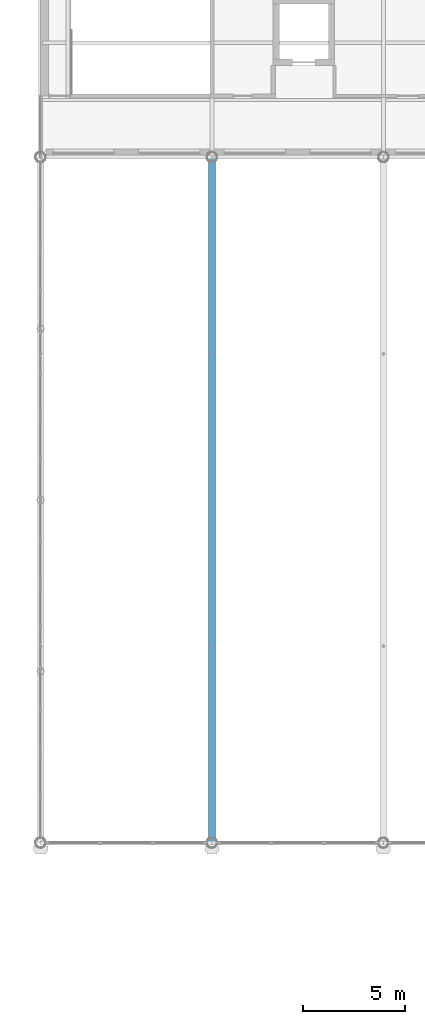
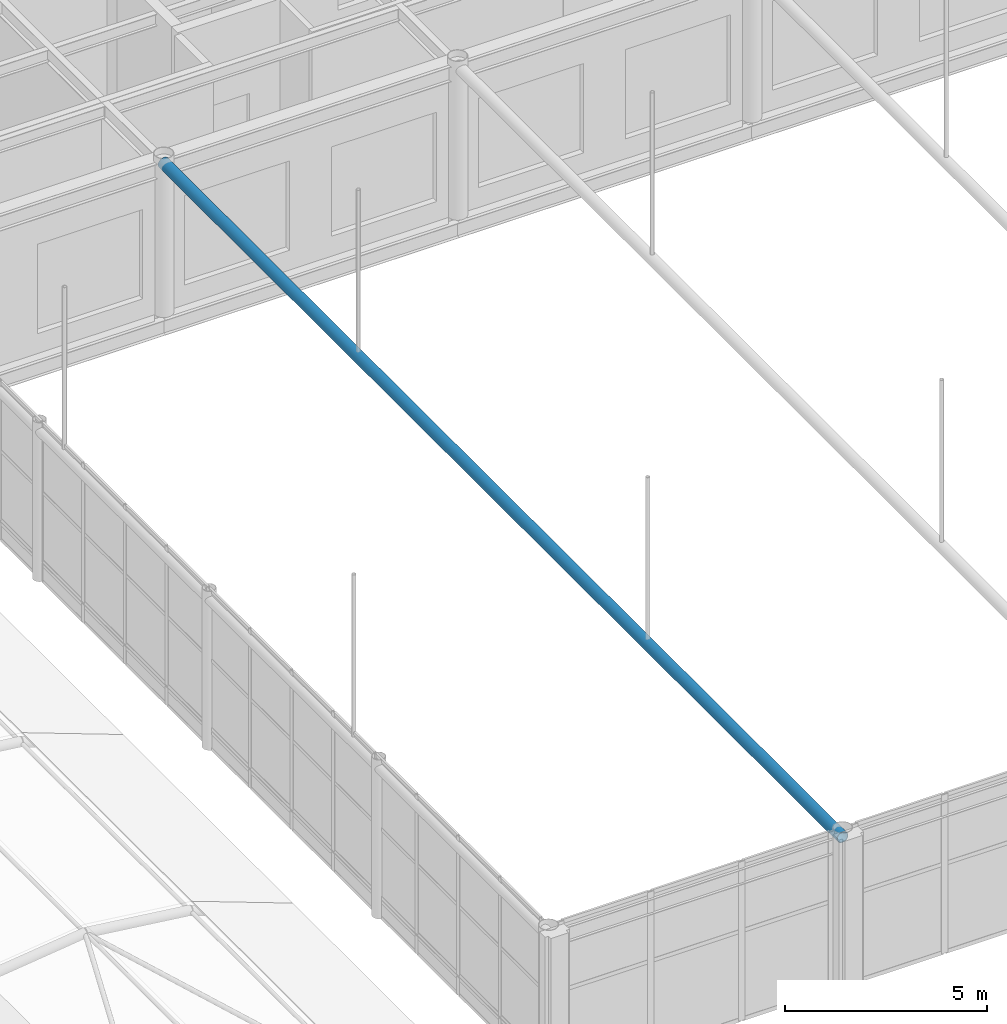
# One storey, part 50 of 167: 1 beam.
"""IFC4 building model written with IfcOpenShell, lengths in metres."""

from ifc_helpers import new_model, si_unit, direction, frame, origin, origin_2d, place, context, subcontext, project, spatial, hollow_circle, extrude, material, material_profile, profile_set, type_object, element, save


model = new_model("IFC4")

# Units and contexts
model_context = context("Model", 3, precision=1e-05, world=origin(), true_north=direction((0.0, 1.0)))
body_context = subcontext(model_context, "Body", "Model", "MODEL_VIEW")
ifc_project = project(units=[si_unit("LENGTHUNIT", "METRE"), si_unit("AREAUNIT", "SQUARE_METRE"), si_unit("VOLUMEUNIT", "CUBIC_METRE"), si_unit("PLANEANGLEUNIT", "RADIAN"), si_unit("MASSUNIT", "GRAM", prefix="KILO")], contexts=[model_context])

# Site, building, storey
site_placement = place(None, origin())
site = spatial("IfcSite", under=ifc_project, at=site_placement, CompositionType="ELEMENT")
building_placement = place(site_placement, origin())
building = spatial("IfcBuilding", under=site, at=building_placement, Name="Catenary Quay Ferry Terminal", CompositionType="ELEMENT")
storey_placement = place(building_placement, frame((0.0, 0.0, 6.0)))
storey = spatial("IfcBuildingStorey", under=building, at=storey_placement, Name="L01", CompositionType="ELEMENT", Elevation=6.0)

# Beam
ifc_material = material(Name="Steel S355", Category="steel")
ifc_material_profile = material_profile(ifc_material, hollow_circle(Radius=0.161865234375, WallThickness=0.01611328125, at=origin_2d()), Name="CHS 323.9x16")
ifc_profile_set = profile_set([ifc_material_profile], Name="Steel S355")
beam_type = type_object("IfcBeamType", Name="TB3 CHS 323.9x16", PredefinedType="BEAM", material=ifc_profile_set)
beam_placement = place(storey_placement, frame((33.60009765625, 67.199951171875, 4.5), z_axis=(0.0, 1.0, 0.0), x_axis=(-1.0, 0.0, 0.0)))
element("IfcBeam", 1, at=beam_placement, inside=storey, type_object=beam_type, Name="Vault tie beam VA-02", PredefinedType="BEAM", context=body_context, shape_type="SweptSolid", body=[
    extrude(hollow_circle(Radius=0.161865234375, WallThickness=0.01611328125, at=origin_2d()), origin(), (0.0, 0.0, 1.0), 33.60009765625),
])

save(model, "model.ifc")
